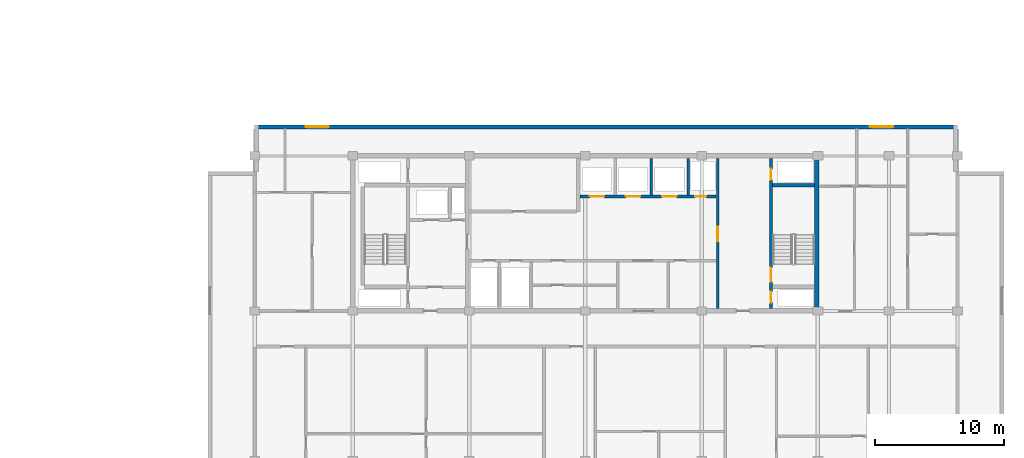
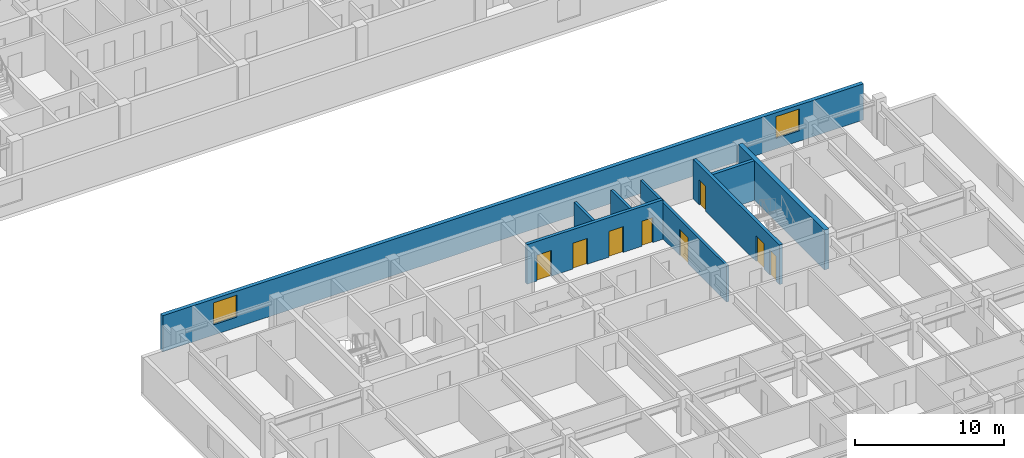
# One storey, part 8 of 22: 8 doors, 8 walls, 2 windows, 10 openings.
"""IFC4 building model written with IfcOpenShell, lengths in metres."""

from ifc_helpers import new_model, si_unit, direction, frame, frame_2d, origin, place, context, subcontext, project, spatial, rectangle, extrude, material, layer, layer_set, type_object, element, fill, save


model = new_model("IFC4")

# Units and contexts
model_context = context("Model", 3, precision=1e-05, world=origin(), true_north=direction((0.0, 1.0)))
body_context = subcontext(model_context, "Body", "Model", "MODEL_VIEW")
ifc_project = project(units=[si_unit("LENGTHUNIT", "METRE"), si_unit("AREAUNIT", "SQUARE_METRE"), si_unit("VOLUMEUNIT", "CUBIC_METRE"), si_unit("PLANEANGLEUNIT", "RADIAN"), si_unit("MASSUNIT", "GRAM", prefix="KILO")], contexts=[model_context])

# Site, building, storey
site_placement = place(None, origin())
site = spatial("IfcSite", under=ifc_project, at=site_placement, CompositionType="ELEMENT")
building_placement = place(site_placement, origin())
building = spatial("IfcBuilding", under=site, at=building_placement, Name="Korimba Cascade Residences", CompositionType="ELEMENT")
storey_placement = place(building_placement, frame((0.0, 0.0, 191.35009765625)))
storey = spatial("IfcBuildingStorey", under=building, at=storey_placement, Name="L55", CompositionType="ELEMENT", Elevation=191.35009765625)

# Wall, openings, windows
ifc_material_1 = material(Name="Precast concrete C40/50", Category="concrete")
ifc_layer_1 = layer(ifc_material_1, 0.300048828125)
ifc_layer_set_1 = layer_set([ifc_layer_1], Name="Precast concrete C40/50")
wall_type_1 = type_object("IfcWallType", Name="EW-STONE-300", PredefinedType="STANDARD", material=ifc_layer_set_1)
wall_1_placement = place(storey_placement, frame((128.89990234375, 32.64990234375, 0.0), z_axis=(0.0, 0.0, 1.0), x_axis=(-1.0, 0.0, 0.0)))
wall_1 = element("IfcWall", 1, at=wall_1_placement, inside=storey, type_object=wall_type_1, Name="L55 T2 Perimeter Stone Wall E06", PredefinedType="STANDARD", context=body_context, shape_type="SweptSolid", body=[
    extrude(rectangle(XDim=54.39990234375, YDim=0.300048828125, at=frame_2d((27.199951171875, 0.0))), origin(), (0.0, 0.0, 1.0), 2.969970703125),
])
opening_1_placement = place(wall_1_placement, frame((48.64990234375, 0.0, 0.85009765625)))
opening_1 = element("IfcOpeningElement", 2, at=opening_1_placement, cuts=wall_1, Name="Opening W-02", PredefinedType="OPENING", context=body_context, shape_type="SweptSolid", body=[
    extrude(rectangle(XDim=1.800048828125, YDim=1.800048828125, at=frame_2d((0.89990234375, 0.89990234375))), frame((0.0, 0.16015625, 0.0), z_axis=(0.0, -1.0, 0.0), x_axis=(1.0, 0.0, 0.0)), (0.0, 0.0, 1.0), 0.320068359375),
])
opening_2_placement = place(wall_1_placement, frame((4.97509765625, 0.0, 0.85009765625)))
opening_2 = element("IfcOpeningElement", 3, at=opening_2_placement, cuts=wall_1, Name="Opening W-02", PredefinedType="OPENING", context=body_context, shape_type="SweptSolid", body=[
    extrude(rectangle(XDim=1.800048828125, YDim=1.800048828125, at=frame_2d((0.89990234375, 0.89990234375))), frame((0.0, 0.16015625, 0.0), z_axis=(0.0, -1.0, 0.0), x_axis=(1.0, 0.0, 0.0)), (0.0, 0.0, 1.0), 0.320068359375),
])
ifc_material_2 = material(Name="Double-Glazed Aluminium Window", Category="aluminium")
window_type = type_object("IfcWindowType", Name="WIN-BED-1800", PartitioningType="SINGLE_PANEL", PredefinedType="WINDOW", material=ifc_material_2)
window_1_placement = place(opening_1_placement, origin())
window_1 = element("IfcWindow", 4, at=window_1_placement, inside=storey, type_object=window_type, Name="L55 T2 North Corner Bedroom Window 1", OverallHeight=1.800048828125, OverallWidth=1.800048828125, PartitioningType="SINGLE_PANEL", PredefinedType="WINDOW", context=body_context, shape_type="SweptSolid", body=[
    extrude(rectangle(XDim=1.800048828125, YDim=1.800048828125, at=frame_2d((0.89990234375, 0.89990234375))), frame((0.0, 0.030029296875, 0.0), z_axis=(0.0, -1.0, 0.0), x_axis=(1.0, 0.0, 0.0)), (0.0, 0.0, 1.0), 0.06005859375),
])
fill(opening_1, window_1)
window_2_placement = place(opening_2_placement, origin())
window_2 = element("IfcWindow", 5, at=window_2_placement, inside=storey, type_object=window_type, Name="L55 T2 North Corner Bedroom Window 2", OverallHeight=1.800048828125, OverallWidth=1.800048828125, PartitioningType="SINGLE_PANEL", PredefinedType="WINDOW", context=body_context, shape_type="SweptSolid", body=[
    extrude(rectangle(XDim=1.800048828125, YDim=1.800048828125, at=frame_2d((0.89990234375, 0.89990234375))), frame((0.0, 0.030029296875, 0.0), z_axis=(0.0, -1.0, 0.0), x_axis=(1.0, 0.0, 0.0)), (0.0, 0.0, 1.0), 0.06005859375),
])
fill(opening_2, window_2)

# Walls
ifc_material_3 = material(Name="Concrete C65/80", Category="concrete")
ifc_layer_2 = layer(ifc_material_3, 0.35009765625)
ifc_layer_set_2 = layer_set([ifc_layer_2], Name="Concrete C65/80")
wall_type_2 = type_object("IfcWallType", Name="WAL-CORE-350", PredefinedType="SHEAR", material=ifc_layer_set_2)
wall_2_placement = place(storey_placement, frame((118.014892578125, 18.574951171875, 0.0), z_axis=(0.0, 0.0, 1.0), x_axis=(0.0, 1.0, 0.0)))
element("IfcWall", 6, at=wall_2_placement, inside=storey, type_object=wall_type_2, Name="L55 Core Shear Wall CW-L55-T2-E", PredefinedType="SHEAR", context=body_context, shape_type="SweptSolid", body=[
    extrude(rectangle(XDim=11.650146484375, YDim=0.35009765625, at=frame_2d((5.8251953125, 0.0))), origin(), (0.0, 0.0, 1.0), 3.25),
])
ifc_material_4 = material(Name="Concrete C40/50", Category="concrete")
ifc_layer_3 = layer(ifc_material_4, 0.199951171875)
ifc_layer_set_3 = layer_set([ifc_layer_3], Name="Concrete C40/50")
wall_type_3 = type_object("IfcWallType", Name="WAL-PART-200", PredefinedType="PARTITIONING", material=ifc_layer_set_3)
for number, where, z_axis, x_axis, name in (
    (7, (105.199951171875, 27.3798828125, 0.0), (0.0, 0.0, 1.0), (0.0, 1.0, 0.0), "L55 Partition Wall CW-L55-T2-B2D2"),
    (8, (108.050048828125, 27.3798828125, 0.0), (0.0, 0.0, 1.0), (0.0, 1.0, 0.0), "L55 Partition Wall CW-L55-T2-B2D3"),
):
    element("IfcWall", number, at=place(storey_placement, frame(where, z_axis=z_axis, x_axis=x_axis)), inside=storey, type_object=wall_type_3, Name=name, PredefinedType="PARTITIONING", context=body_context, shape_type="SweptSolid", body=[
        extrude(rectangle(XDim=2.820068359375, YDim=0.199951171875, at=frame_2d((1.41015625, 0.0))), origin(), (0.0, 0.0, 1.0), 2.969970703125),
    ])

# Wall, opening, door
wall_3_placement = place(storey_placement, frame((110.35009765625, 18.60009765625, 0.0), z_axis=(0.0, 0.0, 1.0), x_axis=(0.0, 1.0, 0.0)))
wall_3 = element("IfcWall", 9, at=wall_3_placement, inside=storey, type_object=wall_type_3, Name="L55 Partition Wall CW-L55-T2-LLEV", PredefinedType="PARTITIONING", context=body_context, shape_type="SweptSolid", body=[
    extrude(rectangle(XDim=11.599853515625, YDim=0.199951171875, at=frame_2d((5.7998046875, 0.0))), origin(), (0.0, 0.0, 1.0), 2.969970703125),
])
opening_3_placement = place(wall_3_placement, frame((5.199951171875, 0.0, 0.0)))
opening_3 = element("IfcOpeningElement", 10, at=opening_3_placement, cuts=wall_3, Name="Opening D-FD6", PredefinedType="OPENING", context=body_context, shape_type="SweptSolid", body=[
    extrude(rectangle(XDim=1.10009765625, YDim=2.14990234375, at=frame_2d((0.550048828125, 1.074951171875))), frame((0.0, 0.10986328125, 0.0), z_axis=(0.0, -1.0, 0.0), x_axis=(1.0, 0.0, 0.0)), (0.0, 0.0, 1.0), 0.219970703125),
])
ifc_material_5 = material(Name="Fire-Rated Timber Stair Lobby Door", Category="wood")
door_type_1 = type_object("IfcDoorType", Name="DR-FD90-1100", OperationType="NOTDEFINED", PredefinedType="DOOR", material=ifc_material_5)
door_1_placement = place(opening_3_placement, origin())
door_1 = element("IfcDoor", 11, at=door_1_placement, inside=storey, type_object=door_type_1, Name="L55 T2 Lift Lobby to East Stair Lobby Door", OperationType="SINGLE_SWING_LEFT", OverallHeight=2.14990234375, OverallWidth=1.10009765625, PredefinedType="DOOR", context=body_context, shape_type="SweptSolid", body=[
    extrude(rectangle(XDim=1.10009765625, YDim=2.14990234375, at=frame_2d((0.550048828125, 1.074951171875))), frame((0.0, 0.02490234375, 0.0), z_axis=(0.0, -1.0, 0.0), x_axis=(1.0, 0.0, 0.0)), (0.0, 0.0, 1.0), 0.050048828125),
])
fill(opening_3, door_1)

# Wall, openings, doors
ifc_material_6 = material(Name="Concrete C50/60", Category="concrete")
ifc_layer_4 = layer(ifc_material_6, 0.25)
ifc_layer_set_4 = layer_set([ifc_layer_4], Name="Concrete C50/60")
wall_type_4 = type_object("IfcWallType", Name="WAL-SHAFT-250", PredefinedType="SHEAR", material=ifc_layer_set_4)
wall_4_placement = place(storey_placement, frame((99.679931640625, 27.25, 0.0), z_axis=(0.0, 0.0, 1.0), x_axis=(1.0, 0.0, 0.0)))
wall_4 = element("IfcWall", 12, at=wall_4_placement, inside=storey, type_object=wall_type_4, Name="L55 Core Shear Wall CW-L55-T2-B2S", PredefinedType="SHEAR", context=body_context, shape_type="SweptSolid", body=[
    extrude(rectangle(XDim=10.5400390625, YDim=0.25, at=frame_2d((5.27001953125, 0.0))), origin(), (0.0, 0.0, 1.0), 3.25),
])
opening_4_placement = place(wall_4_placement, frame((0.760009765625, 0.0, 0.0)))
opening_4 = element("IfcOpeningElement", 13, at=opening_4_placement, cuts=wall_4, Name="Opening LD-01", PredefinedType="OPENING", context=body_context, shape_type="SweptSolid", body=[
    extrude(rectangle(XDim=1.1201171875, YDim=2.1201171875, at=frame_2d((0.56005859375, 1.06005859375))), frame((0.0, 0.135009765625, 0.0), z_axis=(0.0, -1.0, 0.0), x_axis=(1.0, 0.0, 0.0)), (0.0, 0.0, 1.0), 0.27001953125),
])
opening_5_placement = place(wall_4_placement, frame((3.56005859375, 0.0, 0.0)))
opening_5 = element("IfcOpeningElement", 14, at=opening_5_placement, cuts=wall_4, Name="Opening LD-01", PredefinedType="OPENING", context=body_context, shape_type="SweptSolid", body=[
    extrude(rectangle(XDim=1.1201171875, YDim=2.1201171875, at=frame_2d((0.56005859375, 1.06005859375))), frame((0.0, 0.135009765625, 0.0), z_axis=(0.0, -1.0, 0.0), x_axis=(1.0, 0.0, 0.0)), (0.0, 0.0, 1.0), 0.27001953125),
])
opening_6_placement = place(wall_4_placement, frame((6.360107421875, 0.0, 0.0)))
opening_6 = element("IfcOpeningElement", 15, at=opening_6_placement, cuts=wall_4, Name="Opening LD-01", PredefinedType="OPENING", context=body_context, shape_type="SweptSolid", body=[
    extrude(rectangle(XDim=1.1201171875, YDim=2.1201171875, at=frame_2d((0.56005859375, 1.06005859375))), frame((0.0, 0.135009765625, 0.0), z_axis=(0.0, -1.0, 0.0), x_axis=(1.0, 0.0, 0.0)), (0.0, 0.0, 1.0), 0.27001953125),
])
opening_7_placement = place(wall_4_placement, frame((8.919921875, 0.0, 0.0)))
opening_7 = element("IfcOpeningElement", 16, at=opening_7_placement, cuts=wall_4, Name="Opening D-RS1", PredefinedType="OPENING", context=body_context, shape_type="SweptSolid", body=[
    extrude(rectangle(XDim=0.85009765625, YDim=2.050048828125, at=frame_2d((0.425048828125, 1.02490234375))), frame((0.0, 0.135009765625, 0.0), z_axis=(0.0, -1.0, 0.0), x_axis=(1.0, 0.0, 0.0)), (0.0, 0.0, 1.0), 0.27001953125),
])
ifc_material_7 = material(Name="Fire-Rated Steel Riser Access Door", Category="steel")
door_type_2 = type_object("IfcDoorType", Name="DR-FD60-850", OperationType="NOTDEFINED", PredefinedType="DOOR", material=ifc_material_7)
door_2_placement = place(opening_7_placement, origin())
door_2 = element("IfcDoor", 17, at=door_2_placement, inside=storey, type_object=door_type_2, Name="L55 T2 Duct Door", OperationType="SINGLE_SWING_LEFT", OverallHeight=2.050048828125, OverallWidth=0.85009765625, PredefinedType="DOOR", context=body_context, shape_type="SweptSolid", body=[
    extrude(rectangle(XDim=0.85009765625, YDim=2.050048828125, at=frame_2d((0.425048828125, 1.02490234375))), frame((0.0, 0.02490234375, 0.0), z_axis=(0.0, -1.0, 0.0), x_axis=(1.0, 0.0, 0.0)), (0.0, 0.0, 1.0), 0.050048828125),
])
fill(opening_7, door_2)
ifc_material_8 = material(Name="Stainless Steel Lift Landing Sliding Door", Category="steel")
door_type_3 = type_object("IfcDoorType", Name="DR-LIFT-1100", OperationType="NOTDEFINED", PredefinedType="DOOR", material=ifc_material_8)
door_3_placement = place(opening_4_placement, origin())
door_3 = element("IfcDoor", 18, at=door_3_placement, inside=storey, type_object=door_type_3, Name="L55 Lift Landing Door PL-E4", OperationType="SLIDING_TO_RIGHT", OverallHeight=2.1201171875, OverallWidth=1.1201171875, PredefinedType="DOOR", context=body_context, shape_type="SweptSolid", body=[
    extrude(rectangle(XDim=1.1201171875, YDim=2.1201171875, at=frame_2d((0.56005859375, 1.06005859375))), frame((0.0, 0.02490234375, 0.0), z_axis=(0.0, -1.0, 0.0), x_axis=(1.0, 0.0, 0.0)), (0.0, 0.0, 1.0), 0.050048828125),
])
fill(opening_4, door_3)
door_4_placement = place(opening_5_placement, origin())
door_4 = element("IfcDoor", 19, at=door_4_placement, inside=storey, type_object=door_type_3, Name="L55 Lift Landing Door PL-E5", OperationType="SLIDING_TO_RIGHT", OverallHeight=2.1201171875, OverallWidth=1.1201171875, PredefinedType="DOOR", context=body_context, shape_type="SweptSolid", body=[
    extrude(rectangle(XDim=1.1201171875, YDim=2.1201171875, at=frame_2d((0.56005859375, 1.06005859375))), frame((0.0, 0.02490234375, 0.0), z_axis=(0.0, -1.0, 0.0), x_axis=(1.0, 0.0, 0.0)), (0.0, 0.0, 1.0), 0.050048828125),
])
fill(opening_5, door_4)
door_5_placement = place(opening_6_placement, origin())
door_5 = element("IfcDoor", 20, at=door_5_placement, inside=storey, type_object=door_type_3, Name="L55 Lift Landing Door PL-E6", OperationType="SLIDING_TO_RIGHT", OverallHeight=2.1201171875, OverallWidth=1.1201171875, PredefinedType="DOOR", context=body_context, shape_type="SweptSolid", body=[
    extrude(rectangle(XDim=1.1201171875, YDim=2.1201171875, at=frame_2d((0.56005859375, 1.06005859375))), frame((0.0, 0.02490234375, 0.0), z_axis=(0.0, -1.0, 0.0), x_axis=(1.0, 0.0, 0.0)), (0.0, 0.0, 1.0), 0.050048828125),
])
fill(opening_6, door_5)

wall_5_placement = place(storey_placement, frame((114.47509765625, 18.60009765625, 0.0), z_axis=(0.0, 0.0, 1.0), x_axis=(0.0, 1.0, 0.0)))
wall_5 = element("IfcWall", 21, at=wall_5_placement, inside=storey, type_object=wall_type_4, Name="L55 Core Shear Wall CW-L55-T2-STE2W", PredefinedType="SHEAR", context=body_context, shape_type="SweptSolid", body=[
    extrude(rectangle(XDim=11.599853515625, YDim=0.25, at=frame_2d((5.7998046875, 0.0))), origin(), (0.0, 0.0, 1.0), 3.25),
])
opening_8_placement = place(wall_5_placement, frame((0.449951171875, 0.0, 0.0)))
opening_8 = element("IfcOpeningElement", 22, at=opening_8_placement, cuts=wall_5, Name="Opening D-RS1", PredefinedType="OPENING", context=body_context, shape_type="SweptSolid", body=[
    extrude(rectangle(XDim=0.85009765625, YDim=2.050048828125, at=frame_2d((0.425048828125, 1.02490234375))), frame((0.0, 0.135009765625, 0.0), z_axis=(0.0, -1.0, 0.0), x_axis=(1.0, 0.0, 0.0)), (0.0, 0.0, 1.0), 0.27001953125),
])
opening_9_placement = place(wall_5_placement, frame((2.050048828125, 0.0, 0.0)))
opening_9 = element("IfcOpeningElement", 23, at=opening_9_placement, cuts=wall_5, Name="Opening D-FD1", PredefinedType="OPENING", context=body_context, shape_type="SweptSolid", body=[
    extrude(rectangle(XDim=1.10009765625, YDim=2.10009765625, at=frame_2d((0.550048828125, 1.050048828125))), frame((0.0, 0.135009765625, 0.0), z_axis=(0.0, -1.0, 0.0), x_axis=(1.0, 0.0, 0.0)), (0.0, 0.0, 1.0), 0.27001953125),
])
opening_10_placement = place(wall_5_placement, frame((9.949951171875, 0.0, 0.0)))
opening_10 = element("IfcOpeningElement", 24, at=opening_10_placement, cuts=wall_5, Name="Opening D-RS1", PredefinedType="OPENING", context=body_context, shape_type="SweptSolid", body=[
    extrude(rectangle(XDim=0.85009765625, YDim=2.050048828125, at=frame_2d((0.425048828125, 1.02490234375))), frame((0.0, 0.135009765625, 0.0), z_axis=(0.0, -1.0, 0.0), x_axis=(1.0, 0.0, 0.0)), (0.0, 0.0, 1.0), 0.27001953125),
])
ifc_material_9 = material(Name="Fire-Rated Steel Core Door", Category="steel")
door_type_4 = type_object("IfcDoorType", Name="DR-FD120-1100", OperationType="NOTDEFINED", PredefinedType="DOOR", material=ifc_material_9)
door_6_placement = place(opening_9_placement, origin())
door_6 = element("IfcDoor", 25, at=door_6_placement, inside=storey, type_object=door_type_4, Name="L55 Fire Stair ST-E2 Door", OperationType="SINGLE_SWING_LEFT", OverallHeight=2.10009765625, OverallWidth=1.10009765625, PredefinedType="DOOR", context=body_context, shape_type="SweptSolid", body=[
    extrude(rectangle(XDim=1.10009765625, YDim=2.10009765625, at=frame_2d((0.550048828125, 1.050048828125))), frame((0.0, 0.02490234375, 0.0), z_axis=(0.0, -1.0, 0.0), x_axis=(1.0, 0.0, 0.0)), (0.0, 0.0, 1.0), 0.050048828125),
])
fill(opening_9, door_6)
door_7_placement = place(opening_8_placement, origin())
door_7 = element("IfcDoor", 26, at=door_7_placement, inside=storey, type_object=door_type_2, Name="L55 T2 East Hydrant Door", OperationType="SINGLE_SWING_RIGHT", OverallHeight=2.050048828125, OverallWidth=0.85009765625, PredefinedType="DOOR", context=body_context, shape_type="SweptSolid", body=[
    extrude(rectangle(XDim=0.85009765625, YDim=2.050048828125, at=frame_2d((0.425048828125, 1.02490234375))), frame((0.0, 0.02490234375, 0.0), z_axis=(0.0, -1.0, 0.0), x_axis=(1.0, 0.0, 0.0)), (0.0, 0.0, 1.0), 0.050048828125),
])
fill(opening_8, door_7)
door_8_placement = place(opening_10_placement, origin())
door_8 = element("IfcDoor", 27, at=door_8_placement, inside=storey, type_object=door_type_2, Name="L55 T2 East Riser Door", OperationType="SINGLE_SWING_RIGHT", OverallHeight=2.050048828125, OverallWidth=0.85009765625, PredefinedType="DOOR", context=body_context, shape_type="SweptSolid", body=[
    extrude(rectangle(XDim=0.85009765625, YDim=2.050048828125, at=frame_2d((0.425048828125, 1.02490234375))), frame((0.0, 0.02490234375, 0.0), z_axis=(0.0, -1.0, 0.0), x_axis=(1.0, 0.0, 0.0)), (0.0, 0.0, 1.0), 0.050048828125),
])
fill(opening_10, door_8)

# Wall
wall_6_placement = place(storey_placement, frame((114.60009765625, 28.125, 0.0), z_axis=(0.0, 0.0, 1.0), x_axis=(1.0, 0.0, 0.0)))
element("IfcWall", 28, at=wall_6_placement, inside=storey, type_object=wall_type_4, Name="L55 Core Shear Wall CW-L55-T2-STE2N", PredefinedType="SHEAR", context=body_context, shape_type="SweptSolid", body=[
    extrude(rectangle(XDim=3.239990234375, YDim=0.25, at=frame_2d((1.6201171875, 0.0))), origin(), (0.0, 0.0, 1.0), 3.25),
])

save(model, "model.ifc")
